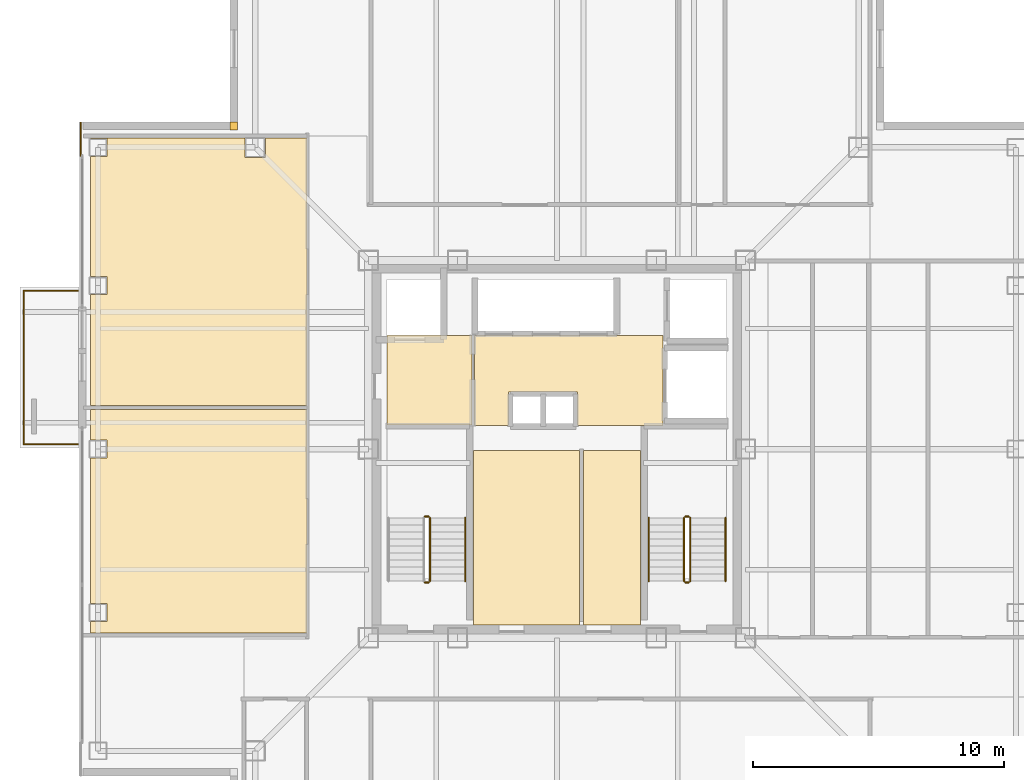
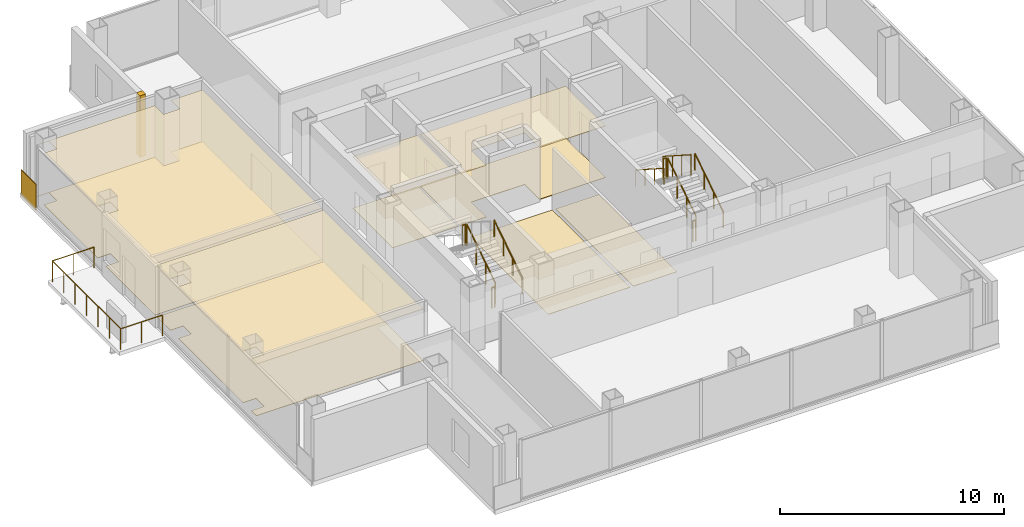
# One storey, part 12 of 13: 13 railings, 12 coverings.
"""IFC4 building model written with IfcOpenShell, lengths in metres."""

from ifc_helpers import new_model, si_unit, direction, frame, frame_2d, origin, origin_2d, place, context, subcontext, project, spatial, polyline, rectangle, circle, outline, extrude, material, layer, layer_set, type_object, element, save


model = new_model("IFC4")

# Units and contexts
model_context = context("Model", 3, precision=1e-05, world=origin(), true_north=direction((0.0, 1.0)))
body_context = subcontext(model_context, "Body", "Model", "MODEL_VIEW")
ifc_project = project(units=[si_unit("LENGTHUNIT", "METRE"), si_unit("AREAUNIT", "SQUARE_METRE"), si_unit("VOLUMEUNIT", "CUBIC_METRE"), si_unit("PLANEANGLEUNIT", "RADIAN"), si_unit("MASSUNIT", "GRAM", prefix="KILO")], contexts=[model_context])

# Site, building, storey
site_placement = place(None, origin())
site = spatial("IfcSite", under=ifc_project, at=site_placement, CompositionType="ELEMENT")
building_placement = place(site_placement, origin())
building = spatial("IfcBuilding", under=site, at=building_placement, Name="Trevonay Congress Spire", CompositionType="ELEMENT")
storey_placement = place(building_placement, frame((0.0, 0.0, 254.0)))
storey = spatial("IfcBuildingStorey", under=building, at=storey_placement, Name="L66", CompositionType="ELEMENT", Elevation=254.0)

# Coverings
ifc_material_1 = material(Name="Acoustic Mineral Fibre Board", Category="gypsum")
ifc_layer_1 = layer(ifc_material_1, 0.02490234375, Name="Acoustic Mineral Fibre Board")
ifc_layer_set_1 = layer_set([ifc_layer_1], Name="Acoustic Mineral Fibre Board")
covering_type_1 = type_object("IfcCoveringType", Name="COV-CEIL-ACOUSTIC", PredefinedType="CEILING", material=ifc_layer_set_1)
covering_1_placement = place(storey_placement, frame((0.0, 0.0, 2.81005859375)))
element("IfcCovering", 1, at=covering_1_placement, inside=storey, type_object=covering_type_1, Name="L66 Firefighting Lift Lobby West acoustic suspended ceiling", PredefinedType="CEILING", context=body_context, shape_type="SweptSolid", body=[
    extrude(outline(polyline([(-6.75, 0.9599609375), (-3.3798828125, 0.9599609375), (-3.3798828125, 4.52001953125), (-6.75, 4.52001953125), (-6.75, 0.9599609375)])), origin(), (0.0, 0.0, 1.0), 0.02490234375),
])
covering_2_placement = place(storey_placement, frame((0.0, 0.0, 2.81005859375)))
element("IfcCovering", 2, at=covering_2_placement, inside=storey, type_object=covering_type_1, Name="L66 Central and High-Rise Passenger Lift Lobby acoustic suspended ceiling", PredefinedType="CEILING", context=body_context, shape_type="SweptSolid", body=[
    extrude(outline(polyline([(-3.280029296875, 0.949951171875), (-1.919921875, 0.949951171875), (-1.919921875, 2.280029296875), (0.820068359375, 2.280029296875), (0.820068359375, 0.949951171875), (4.219970703125, 0.949951171875), (4.219970703125, 4.52001953125), (-3.280029296875, 4.52001953125), (-3.280029296875, 0.949951171875)])), origin(), (0.0, 0.0, 1.0), 0.02490234375),
])
covering_3_placement = place(storey_placement, frame((0.0, 0.0, 2.81005859375)))
element("IfcCovering", 3, at=covering_3_placement, inside=storey, type_object=covering_type_1, Name="L66 State Culinary Hot Kitchen acoustic suspended ceiling", PredefinedType="CEILING", context=body_context, shape_type="SweptSolid", body=[
    extrude(outline(polyline([(-18.550048828125, 1.570068359375), (-9.929931640625, 1.570068359375), (-9.929931640625, -7.320068359375), (-18.550048828125, -7.320068359375), (-18.550048828125, -6.860107421875), (-17.889892578125, -6.860107421875), (-17.889892578125, -6.139892578125), (-18.550048828125, -6.139892578125), (-18.550048828125, -0.360107421875), (-17.889892578125, -0.360107421875), (-17.889892578125, 0.360107421875), (-18.550048828125, 0.360107421875), (-18.550048828125, 1.570068359375)])), origin(), (0.0, 0.0, 1.0), 0.02490234375),
])
covering_4_placement = place(storey_placement, frame((0.0, 0.0, 2.81005859375)))
element("IfcCovering", 4, at=covering_4_placement, inside=storey, type_object=covering_type_1, Name="L66 Cold Larder and Bakery Kitchen acoustic suspended ceiling", PredefinedType="CEILING", context=body_context, shape_type="SweptSolid", body=[
    extrude(outline(polyline([(-9.929931640625, 12.3701171875), (-9.929931640625, 1.72998046875), (-18.550048828125, 1.72998046875), (-18.550048828125, 6.139892578125), (-17.889892578125, 6.139892578125), (-17.889892578125, 6.860107421875), (-18.550048828125, 6.860107421875), (-18.550048828125, 11.639892578125), (-17.889892578125, 11.639892578125), (-17.889892578125, 12.360107421875), (-18.550048828125, 12.360107421875), (-18.550048828125, 12.3701171875), (-12.409912109375, 12.3701171875), (-12.409912109375, 11.590087890625), (-11.590087890625, 11.590087890625), (-11.590087890625, 12.3701171875), (-9.929931640625, 12.3701171875)])), origin(), (0.0, 0.0, 1.0), 0.02490234375),
])
ifc_material_2 = material(Name="Polished Granite Floor Tile", Category="masonry")
ifc_layer_2 = layer(ifc_material_2, 0.02001953125, Name="Polished Granite Floor Tile")
ifc_layer_set_2 = layer_set([ifc_layer_2], Name="Polished Granite Floor Tile")
covering_type_2 = type_object("IfcCoveringType", Name="COV-FLOOR-STONE", PredefinedType="FLOORING", material=ifc_layer_set_2)
covering_5_placement = place(storey_placement, origin())
element("IfcCovering", 5, at=covering_5_placement, inside=storey, type_object=covering_type_2, Name="L66 Firefighting Lift Lobby West floor finish", PredefinedType="FLOORING", context=body_context, shape_type="SweptSolid", body=[
    extrude(outline(polyline([(-6.75, 0.9599609375), (-3.3798828125, 0.9599609375), (-3.3798828125, 4.52001953125), (-6.75, 4.52001953125), (-6.75, 0.9599609375)])), origin(), (0.0, 0.0, 1.0), 0.02001953125),
])
covering_6_placement = place(storey_placement, origin())
element("IfcCovering", 6, at=covering_6_placement, inside=storey, type_object=covering_type_2, Name="L66 Central and High-Rise Passenger Lift Lobby floor finish", PredefinedType="FLOORING", context=body_context, shape_type="SweptSolid", body=[
    extrude(outline(polyline([(-3.280029296875, 0.949951171875), (-1.919921875, 0.949951171875), (-1.919921875, 2.280029296875), (0.820068359375, 2.280029296875), (0.820068359375, 0.949951171875), (4.219970703125, 0.949951171875), (4.219970703125, 4.52001953125), (-3.280029296875, 4.52001953125), (-3.280029296875, 0.949951171875)])), origin(), (0.0, 0.0, 1.0), 0.02001953125),
])
covering_7_placement = place(storey_placement, origin())
element("IfcCovering", 7, at=covering_7_placement, inside=storey, type_object=covering_type_2, Name="L66 Translation Equipment Hub floor finish", PredefinedType="FLOORING", context=body_context, shape_type="SweptSolid", body=[
    extrude(outline(polyline([(-3.320068359375, -7.0), (0.89990234375, -7.0), (0.89990234375, -0.050048828125), (-3.320068359375, -0.050048828125), (-3.320068359375, -7.0)])), origin(), (0.0, 0.0, 1.0), 0.02001953125),
])
covering_8_placement = place(storey_placement, origin())
element("IfcCovering", 8, at=covering_8_placement, inside=storey, type_object=covering_type_2, Name="L66 Floor Supplies Store floor finish", PredefinedType="FLOORING", context=body_context, shape_type="SweptSolid", body=[
    extrude(outline(polyline([(1.06005859375, -7.0), (3.320068359375, -7.0), (3.320068359375, -0.050048828125), (1.06005859375, -0.050048828125), (1.06005859375, -7.0)])), origin(), (0.0, 0.0, 1.0), 0.02001953125),
])
covering_9_placement = place(storey_placement, origin())
element("IfcCovering", 9, at=covering_9_placement, inside=storey, type_object=covering_type_2, Name="L66 State Culinary Hot Kitchen floor finish", PredefinedType="FLOORING", context=body_context, shape_type="SweptSolid", body=[
    extrude(outline(polyline([(-18.550048828125, 1.570068359375), (-9.929931640625, 1.570068359375), (-9.929931640625, -7.320068359375), (-18.550048828125, -7.320068359375), (-18.550048828125, -6.860107421875), (-17.889892578125, -6.860107421875), (-17.889892578125, -6.139892578125), (-18.550048828125, -6.139892578125), (-18.550048828125, -0.360107421875), (-17.889892578125, -0.360107421875), (-17.889892578125, 0.360107421875), (-18.550048828125, 0.360107421875), (-18.550048828125, 1.570068359375)])), origin(), (0.0, 0.0, 1.0), 0.02001953125),
])
covering_10_placement = place(storey_placement, origin())
element("IfcCovering", 10, at=covering_10_placement, inside=storey, type_object=covering_type_2, Name="L66 Cold Larder and Bakery Kitchen floor finish", PredefinedType="FLOORING", context=body_context, shape_type="SweptSolid", body=[
    extrude(outline(polyline([(-9.929931640625, 12.3701171875), (-9.929931640625, 1.72998046875), (-18.550048828125, 1.72998046875), (-18.550048828125, 6.139892578125), (-17.889892578125, 6.139892578125), (-17.889892578125, 6.860107421875), (-18.550048828125, 6.860107421875), (-18.550048828125, 11.639892578125), (-17.889892578125, 11.639892578125), (-17.889892578125, 12.360107421875), (-18.550048828125, 12.360107421875), (-18.550048828125, 12.3701171875), (-12.409912109375, 12.3701171875), (-12.409912109375, 11.590087890625), (-11.590087890625, 11.590087890625), (-11.590087890625, 12.3701171875), (-9.929931640625, 12.3701171875)])), origin(), (0.0, 0.0, 1.0), 0.02001953125),
])
ifc_material_3 = material(Name="Pale Anodised Aluminium EN AW-6063-T6", Category="aluminium")
ifc_layer_3 = layer(ifc_material_3, 0.0400390625, Name="Pale Anodised Aluminium EN AW-6063-T6")
ifc_layer_set_3 = layer_set([ifc_layer_3], Name="Pale Anodised Aluminium EN AW-6063-T6")
covering_type_3 = type_object("IfcCoveringType", Name="COV-SPANDREL-PALE-METAL", PredefinedType="CLADDING", material=ifc_layer_set_3)
covering_11_placement = place(storey_placement, origin())
element("IfcCovering", 11, at=covering_11_placement, inside=storey, type_object=covering_type_3, Name="L66 NW re-entrant notch corner closure trim", PredefinedType="CLADDING", context=body_context, shape_type="SweptSolid", body=[
    extrude(outline(polyline([(-13.0, 12.699951171875), (-12.699951171875, 12.699951171875), (-12.699951171875, 13.0), (-13.0, 13.0), (-13.0, 12.699951171875)])), origin(), (0.0, 0.0, 1.0), 3.360107421875),
])
covering_12_placement = place(storey_placement, frame((-18.93994140625, 11.64990234375, -0.14990234375), z_axis=(0.0, 0.0, 1.0), x_axis=(0.0, 1.0, 0.0)))
element("IfcCovering", 12, at=covering_12_placement, inside=storey, type_object=covering_type_3, Name="L66 NW corner pier spandrel cladding 1", PredefinedType="CLADDING", context=body_context, shape_type="SweptSolid", body=[
    extrude(rectangle(XDim=1.35009765625, YDim=0.0400390625, at=frame_2d((0.675048828125, 0.0))), origin(), (0.0, 0.0, 1.0), 1.39990234375),
])

# Railings
railing_type_1 = type_object("IfcRailingType", Name="RAL-EXT-GUARD-115", PredefinedType="GUARDRAIL", material=ifc_material_3)
railing_1_placement = place(storey_placement, frame((-19.050048828125, 0.199951171875, 0.0)))
element("IfcRailing", 13, at=railing_1_placement, inside=storey, type_object=railing_type_1, Name="L66 perimeter safety guard GRD-L66-TBAL-W-1", PredefinedType="GUARDRAIL", context=body_context, shape_type="SweptSolid", body=[
    extrude(circle(Radius=0.02392578125, at=origin_2d()), frame((0.0, 0.0, 1.1259765625), z_axis=(-1.0, 0.0, 0.0), x_axis=(0.0, -1.0, 0.0)), (0.0, 0.0, 1.0), 2.14990234375),
    extrude(circle(Radius=0.02099609375, at=origin_2d()), origin(), (0.0, 0.0, 1.0), 1.101806640625),
    extrude(circle(Radius=0.02099609375, at=origin_2d()), frame((-1.074951171875, 0.0, 0.0)), (0.0, 0.0, 1.0), 1.101806640625),
    extrude(circle(Radius=0.02099609375, at=origin_2d()), frame((-2.14990234375, 0.0, 0.0)), (0.0, 0.0, 1.0), 1.101806640625),
])
railing_2_placement = place(storey_placement, frame((-21.199951171875, 0.199951171875, 0.0)))
element("IfcRailing", 14, at=railing_2_placement, inside=storey, type_object=railing_type_1, Name="L66 perimeter safety guard GRD-L66-TBAL-W-2", PredefinedType="GUARDRAIL", context=body_context, shape_type="SweptSolid", body=[
    extrude(circle(Radius=0.02392578125, at=origin_2d()), frame((0.0, 0.0, 1.1259765625), z_axis=(0.0, 1.0, 0.0), x_axis=(-1.0, 0.0, 0.0)), (0.0, 0.0, 1.0), 6.10009765625),
    extrude(circle(Radius=0.02099609375, at=origin_2d()), origin(), (0.0, 0.0, 1.0), 1.101806640625),
    extrude(circle(Radius=0.02099609375, at=origin_2d()), frame((0.0, 1.0166015625, 0.0)), (0.0, 0.0, 1.0), 1.101806640625),
    extrude(circle(Radius=0.02099609375, at=origin_2d()), frame((0.0, 2.033447265625, 0.0)), (0.0, 0.0, 1.0), 1.101806640625),
    extrude(circle(Radius=0.02099609375, at=origin_2d()), frame((0.0, 3.050048828125, 0.0)), (0.0, 0.0, 1.0), 1.101806640625),
    extrude(circle(Radius=0.02099609375, at=origin_2d()), frame((0.0, 4.066650390625, 0.0)), (0.0, 0.0, 1.0), 1.101806640625),
    extrude(circle(Radius=0.02099609375, at=origin_2d()), frame((0.0, 5.08349609375, 0.0)), (0.0, 0.0, 1.0), 1.101806640625),
    extrude(circle(Radius=0.02099609375, at=origin_2d()), frame((0.0, 6.10009765625, 0.0)), (0.0, 0.0, 1.0), 1.101806640625),
])
railing_3_placement = place(storey_placement, frame((-21.199951171875, 6.300048828125, 0.0)))
element("IfcRailing", 15, at=railing_3_placement, inside=storey, type_object=railing_type_1, Name="L66 perimeter safety guard GRD-L66-TBAL-W-3", PredefinedType="GUARDRAIL", context=body_context, shape_type="SweptSolid", body=[
    extrude(circle(Radius=0.02392578125, at=origin_2d()), frame((0.0, 0.0, 1.1259765625), z_axis=(1.0, 0.0, 0.0), x_axis=(0.0, 1.0, 0.0)), (0.0, 0.0, 1.0), 2.14990234375),
    extrude(circle(Radius=0.02099609375, at=origin_2d()), origin(), (0.0, 0.0, 1.0), 1.101806640625),
    extrude(circle(Radius=0.02099609375, at=origin_2d()), frame((1.074951171875, 0.0, 0.0)), (0.0, 0.0, 1.0), 1.101806640625),
    extrude(circle(Radius=0.02099609375, at=origin_2d()), frame((2.14990234375, 0.0, 0.0)), (0.0, 0.0, 1.0), 1.101806640625),
])
railing_type_2 = type_object("IfcRailingType", Name="RAL-STAIR-GUARD-110", PredefinedType="GUARDRAIL", material=ifc_material_3)
railing_4_placement = place(storey_placement, frame((-5.050048828125, -5.25, 0.179931640625)))
element("IfcRailing", 16, at=railing_4_placement, inside=storey, type_object=railing_type_2, Name="L66 ST-1 stair guard 1", PredefinedType="GUARDRAIL", context=body_context, shape_type="SweptSolid", body=[
    extrude(circle(Radius=0.02392578125, at=origin_2d()), frame((0.0, 0.0, 1.1259765625), z_axis=(0.0, 0.841162588446, 0.540782303519), x_axis=(-1.0, 0.0, 0.0)), (0.0, 0.0, 1.0), 2.995849609375),
    extrude(circle(Radius=0.02099609375, at=origin_2d()), origin(), (0.0, 0.0, 1.0), 1.101806640625),
    extrude(circle(Radius=0.02099609375, at=origin_2d()), frame((0.0, 0.840087890625, 0.5400390625)), (0.0, 0.0, 1.0), 1.101806640625),
    extrude(circle(Radius=0.02099609375, at=origin_2d()), frame((0.0, 1.679931640625, 1.080078125)), (0.0, 0.0, 1.0), 1.101806640625),
    extrude(circle(Radius=0.02099609375, at=origin_2d()), frame((0.0, 2.52001953125, 1.6201171875)), (0.0, 0.0, 1.0), 1.101806640625),
])
for number, where, name in (
    (17, (-5.10009765625, -2.679931640625, 1.800048828125), "L66 ST-1 stair guard 2"),
    (18, (-5.10009765625, -5.300048828125, 0.0), "L66 ST-1 stair guard 4"),
):
    element("IfcRailing", number, at=place(storey_placement, frame(where)), inside=storey, type_object=railing_type_2, Name=name, PredefinedType="GUARDRAIL", context=body_context, shape_type="SweptSolid", body=[
        extrude(circle(Radius=0.02392578125, at=origin_2d()), frame((0.0, 0.0, 1.1259765625), z_axis=(-1.0, 0.0, 0.0), x_axis=(0.0, -1.0, 0.0)), (0.0, 0.0, 1.0), 0.14990234375),
        extrude(circle(Radius=0.02099609375, at=origin_2d()), origin(), (0.0, 0.0, 1.0), 1.101806640625),
        extrude(circle(Radius=0.02099609375, at=origin_2d()), frame((-0.14990234375, 0.0, 0.0)), (0.0, 0.0, 1.0), 1.101806640625),
    ])
railing_5_placement = place(storey_placement, frame((5.300048828125, -5.25, 0.179931640625)))
element("IfcRailing", 19, at=railing_5_placement, inside=storey, type_object=railing_type_2, Name="L66 ST-2 stair guard 1", PredefinedType="GUARDRAIL", context=body_context, shape_type="SweptSolid", body=[
    extrude(circle(Radius=0.02392578125, at=origin_2d()), frame((0.0, 0.0, 1.1259765625), z_axis=(0.0, 0.841162588446, 0.540782303519), x_axis=(-1.0, 0.0, 0.0)), (0.0, 0.0, 1.0), 2.995849609375),
    extrude(circle(Radius=0.02099609375, at=origin_2d()), origin(), (0.0, 0.0, 1.0), 1.101806640625),
    extrude(circle(Radius=0.02099609375, at=origin_2d()), frame((0.0, 0.840087890625, 0.5400390625)), (0.0, 0.0, 1.0), 1.101806640625),
    extrude(circle(Radius=0.02099609375, at=origin_2d()), frame((0.0, 1.679931640625, 1.080078125)), (0.0, 0.0, 1.0), 1.101806640625),
    extrude(circle(Radius=0.02099609375, at=origin_2d()), frame((0.0, 2.52001953125, 1.6201171875)), (0.0, 0.0, 1.0), 1.101806640625),
])
railing_6_placement = place(storey_placement, frame((5.25, -2.679931640625, 1.800048828125)))
element("IfcRailing", 20, at=railing_6_placement, inside=storey, type_object=railing_type_2, Name="L66 ST-2 stair guard 2", PredefinedType="GUARDRAIL", context=body_context, shape_type="SweptSolid", body=[
    extrude(circle(Radius=0.02392578125, at=origin_2d()), frame((0.0, 0.0, 1.1259765625), z_axis=(-1.0, 0.0, 0.0), x_axis=(0.0, -1.0, 0.0)), (0.0, 0.0, 1.0), 0.14990234375),
    extrude(circle(Radius=0.02099609375, at=origin_2d()), origin(), (0.0, 0.0, 1.0), 1.101806640625),
    extrude(circle(Radius=0.02099609375, at=origin_2d()), frame((-0.14990234375, 0.0, 0.0)), (0.0, 0.0, 1.0), 1.101806640625),
])
railing_7_placement = place(storey_placement, frame((5.050048828125, -2.72998046875, 1.97998046875)))
element("IfcRailing", 21, at=railing_7_placement, inside=storey, type_object=railing_type_2, Name="L66 ST-2 stair guard 3", PredefinedType="GUARDRAIL", context=body_context, shape_type="SweptSolid", body=[
    extrude(circle(Radius=0.02392578125, at=origin_2d()), frame((0.0, 0.0, 1.1259765625), z_axis=(0.0, -0.841162588446, 0.540782303519), x_axis=(1.0, 0.0, 0.0)), (0.0, 0.0, 1.0), 2.995849609375),
    extrude(circle(Radius=0.02099609375, at=origin_2d()), origin(), (0.0, 0.0, 1.0), 1.101806640625),
    extrude(circle(Radius=0.02099609375, at=origin_2d()), frame((0.0, -0.840087890625, 0.5400390625)), (0.0, 0.0, 1.0), 1.101806640625),
    extrude(circle(Radius=0.02099609375, at=origin_2d()), frame((0.0, -1.679931640625, 1.080078125)), (0.0, 0.0, 1.0), 1.101806640625),
    extrude(circle(Radius=0.02099609375, at=origin_2d()), frame((0.0, -2.52001953125, 1.6201171875)), (0.0, 0.0, 1.0), 1.101806640625),
])
railing_8_placement = place(storey_placement, frame((5.25, -5.300048828125, 0.0)))
element("IfcRailing", 22, at=railing_8_placement, inside=storey, type_object=railing_type_2, Name="L66 ST-2 stair guard 4", PredefinedType="GUARDRAIL", context=body_context, shape_type="SweptSolid", body=[
    extrude(circle(Radius=0.02392578125, at=origin_2d()), frame((0.0, 0.0, 1.1259765625), z_axis=(-1.0, 0.0, 0.0), x_axis=(0.0, -1.0, 0.0)), (0.0, 0.0, 1.0), 0.14990234375),
    extrude(circle(Radius=0.02099609375, at=origin_2d()), origin(), (0.0, 0.0, 1.0), 1.101806640625),
    extrude(circle(Radius=0.02099609375, at=origin_2d()), frame((-0.14990234375, 0.0, 0.0)), (0.0, 0.0, 1.0), 1.101806640625),
])
railing_type_3 = type_object("IfcRailingType", Name="RAL-STAIR-HANDRAIL", PredefinedType="HANDRAIL", material=ifc_material_3)
for number, where, name in (
    (23, (-3.64990234375, -5.25, 0.179931640625), "L66 ST-1 stair handrail 1"),
    (24, (6.699951171875, -5.25, 0.179931640625), "L66 ST-2 stair handrail 1"),
):
    element("IfcRailing", number, at=place(storey_placement, frame(where)), inside=storey, type_object=railing_type_3, Name=name, PredefinedType="HANDRAIL", context=body_context, shape_type="SweptSolid", body=[
        extrude(circle(Radius=0.02392578125, at=origin_2d()), frame((0.0, 0.0, 0.8759765625), z_axis=(0.0, 0.841162588446, 0.540782303519), x_axis=(-1.0, 0.0, 0.0)), (0.0, 0.0, 1.0), 2.995849609375),
        extrude(circle(Radius=0.02099609375, at=origin_2d()), origin(), (0.0, 0.0, 1.0), 0.851806640625),
        extrude(circle(Radius=0.02099609375, at=origin_2d()), frame((0.0, 0.840087890625, 0.5400390625)), (0.0, 0.0, 1.0), 0.851806640625),
        extrude(circle(Radius=0.02099609375, at=origin_2d()), frame((0.0, 1.679931640625, 1.080078125)), (0.0, 0.0, 1.0), 0.851806640625),
        extrude(circle(Radius=0.02099609375, at=origin_2d()), frame((0.0, 2.52001953125, 1.6201171875)), (0.0, 0.0, 1.0), 0.851806640625),
    ])
railing_9_placement = place(storey_placement, frame((3.64990234375, -2.72998046875, 1.97998046875)))
element("IfcRailing", 25, at=railing_9_placement, inside=storey, type_object=railing_type_3, Name="L66 ST-2 stair handrail 2", PredefinedType="HANDRAIL", context=body_context, shape_type="SweptSolid", body=[
    extrude(circle(Radius=0.02392578125, at=origin_2d()), frame((0.0, 0.0, 0.8759765625), z_axis=(0.0, -0.841162588446, 0.540782303519), x_axis=(1.0, 0.0, 0.0)), (0.0, 0.0, 1.0), 2.995849609375),
    extrude(circle(Radius=0.02099609375, at=origin_2d()), origin(), (0.0, 0.0, 1.0), 0.851806640625),
    extrude(circle(Radius=0.02099609375, at=origin_2d()), frame((0.0, -0.840087890625, 0.5400390625)), (0.0, 0.0, 1.0), 0.851806640625),
    extrude(circle(Radius=0.02099609375, at=origin_2d()), frame((0.0, -1.679931640625, 1.080078125)), (0.0, 0.0, 1.0), 0.851806640625),
    extrude(circle(Radius=0.02099609375, at=origin_2d()), frame((0.0, -2.52001953125, 1.6201171875)), (0.0, 0.0, 1.0), 0.851806640625),
])

save(model, "model.ifc")
